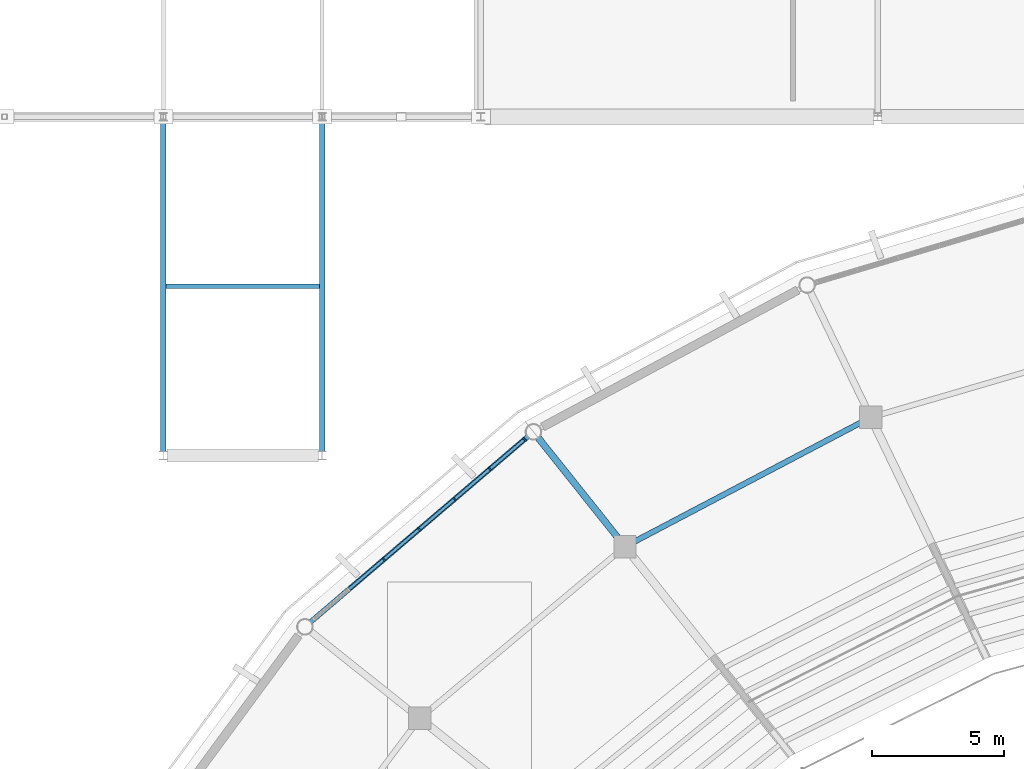
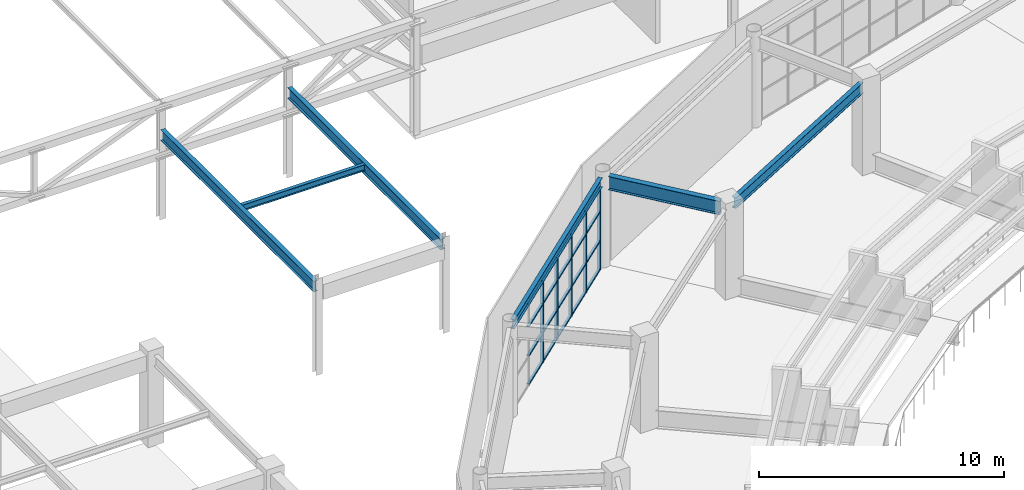
# One storey, part 52 of 122: 25 members, 6 beams, 1 element without a shape of its own.
"""IFC4 building model written with IfcOpenShell, lengths in metres."""

from ifc_helpers import new_model, si_unit, direction, frame, origin, origin_2d, place, context, subcontext, project, spatial, rectangle, i_section, extrude, material, material_profile, profile_set, type_object, element, aggregate, save


model = new_model("IFC4")

# Units and contexts
model_context = context("Model", 3, precision=1e-05, world=origin(), true_north=direction((0.0, 1.0)))
body_context = subcontext(model_context, "Body", "Model", "MODEL_VIEW")
ifc_project = project(units=[si_unit("LENGTHUNIT", "METRE"), si_unit("AREAUNIT", "SQUARE_METRE"), si_unit("VOLUMEUNIT", "CUBIC_METRE"), si_unit("PLANEANGLEUNIT", "RADIAN"), si_unit("MASSUNIT", "GRAM", prefix="KILO")], contexts=[model_context])

# Site, building, storey
site_placement = place(None, origin())
site = spatial("IfcSite", under=ifc_project, at=site_placement, CompositionType="ELEMENT")
building_placement = place(site_placement, origin())
building = spatial("IfcBuilding", under=site, at=building_placement, Name="Cuetzalor Civic Arena", CompositionType="ELEMENT")
storey_placement = place(building_placement, frame((0.0, 0.0, 16.199951171875)))
storey = spatial("IfcBuildingStorey", under=building, at=storey_placement, Name="L03", CompositionType="ELEMENT", Elevation=16.199951171875)

# Curtain wall, members
ifc_material_1 = material(Name="Anodised dark bronze aluminium and low-E solar glass", Category="aluminium")
curtain_wall_type = type_object("IfcCurtainWallType", Name="UnitisedCW_10550x4050", PredefinedType="USERDEFINED", material=ifc_material_1)
curtain_wall_placement = place(storey_placement, origin())
curtain_wall = element("IfcCurtainWall", 1, at=curtain_wall_placement, inside=storey, type_object=curtain_wall_type, Name="Drum Triangle Foyer Curtain Wall L03-049", ObjectType="UNITISED CURTAIN WALL", PredefinedType="USERDEFINED")
ifc_material_2 = material(Name="Anodised dark bronze aluminium", Category="aluminium")
ifc_material_profile_1 = material_profile(ifc_material_2, rectangle(XDim=0.06494140625, YDim=0.14990234375, at=origin_2d()), Name="ALU MULLION 65x150")
ifc_profile_set_1 = profile_set([ifc_material_profile_1], Name="Anodised dark bronze aluminium")
member_type_1 = type_object("IfcMemberType", Name="CurtainWallMullion_60x150", PredefinedType="MULLION", material=ifc_profile_set_1)
member_1_placement = place(storey_placement, frame((-39.665283203125, 31.569580078125, 0.0), z_axis=(0.0, 0.0, 1.0), x_axis=(0.760677142663, 0.64913040649, 0.0)))
member_1 = element("IfcMember", 2, at=member_1_placement, type_object=member_type_1, Name="CW-16 mullion 3", PredefinedType="MULLION", context=body_context, shape_type="SweptSolid", body=[
    extrude(rectangle(XDim=0.06494140625, YDim=0.14990234375, at=origin_2d()), origin(), (0.0, 0.0, 1.0), 4.052978515625),
])
member_2_placement = place(storey_placement, frame((-38.330078125, 32.708984375, 0.0), z_axis=(0.0, 0.0, 1.0), x_axis=(0.760677142663, 0.64913040649, 0.0)))
member_2 = element("IfcMember", 3, at=member_2_placement, type_object=member_type_1, Name="CW-16 mullion 4", PredefinedType="MULLION", context=body_context, shape_type="SweptSolid", body=[
    extrude(rectangle(XDim=0.06494140625, YDim=0.14990234375, at=origin_2d()), origin(), (0.0, 0.0, 1.0), 4.052978515625),
])
member_3_placement = place(storey_placement, frame((-36.9951171875, 33.84814453125, 0.0), z_axis=(0.0, 0.0, 1.0), x_axis=(0.760677142663, 0.64913040649, 0.0)))
member_3 = element("IfcMember", 4, at=member_3_placement, type_object=member_type_1, Name="CW-16 mullion 5", PredefinedType="MULLION", context=body_context, shape_type="SweptSolid", body=[
    extrude(rectangle(XDim=0.06494140625, YDim=0.14990234375, at=origin_2d()), origin(), (0.0, 0.0, 1.0), 4.052978515625),
])
member_4_placement = place(storey_placement, frame((-35.659912109375, 34.987548828125, 0.0), z_axis=(0.0, 0.0, 1.0), x_axis=(0.760677142663, 0.64913040649, 0.0)))
member_4 = element("IfcMember", 5, at=member_4_placement, type_object=member_type_1, Name="CW-16 mullion 6", PredefinedType="MULLION", context=body_context, shape_type="SweptSolid", body=[
    extrude(rectangle(XDim=0.06494140625, YDim=0.14990234375, at=origin_2d()), origin(), (0.0, 0.0, 1.0), 4.052978515625),
])
member_5_placement = place(storey_placement, frame((-34.349609375, 36.105712890625, 0.0), z_axis=(0.0, 0.0, 1.0), x_axis=(0.760677142663, 0.64913040649, 0.0)))
member_5 = element("IfcMember", 6, at=member_5_placement, type_object=member_type_1, Name="CW-16 mullion 7", PredefinedType="MULLION", context=body_context, shape_type="SweptSolid", body=[
    extrude(rectangle(XDim=0.06494140625, YDim=0.14990234375, at=origin_2d()), origin(), (0.0, 0.0, 1.0), 4.052978515625),
])
ifc_material_3 = material(Name="Anodised dark bronze aluminium", Category="aluminium")
ifc_material_profile_2 = material_profile(ifc_material_3, rectangle(XDim=0.1201171875, YDim=0.06494140625, at=origin_2d()), Name="ALU TRANSOM 65x120")
ifc_profile_set_2 = profile_set([ifc_material_profile_2], Name="Anodised dark bronze aluminium")
member_type_2 = type_object("IfcMemberType", Name="CurtainWallTransom_60x120", PredefinedType="USERDEFINED", material=ifc_profile_set_2)
member_6_placement = place(storey_placement, frame((-40.9755859375, 30.451416015625, 0.032470703125), z_axis=(0.760661918834, 0.649148245963, 0.0), x_axis=(-0.649148245963, 0.760661918834, 0.0)))
member_6 = element("IfcMember", 7, at=member_6_placement, type_object=member_type_2, Name="CW-16 transom 2.1", ObjectType="TRANSOM", PredefinedType="USERDEFINED", context=body_context, shape_type="SweptSolid", body=[
    extrude(rectangle(XDim=0.1201171875, YDim=0.06494140625, at=origin_2d()), origin(), (0.0, 0.0, 1.0), 1.690185546875),
])
member_7_placement = place(storey_placement, frame((-40.9755859375, 30.451416015625, 1.458984375), z_axis=(0.760661918834, 0.649148245963, 0.0), x_axis=(-0.649148245963, 0.760661918834, 0.0)))
member_7 = element("IfcMember", 8, at=member_7_placement, type_object=member_type_2, Name="CW-16 transom 2.2", ObjectType="TRANSOM", PredefinedType="USERDEFINED", context=body_context, shape_type="SweptSolid", body=[
    extrude(rectangle(XDim=0.1201171875, YDim=0.06494140625, at=origin_2d()), origin(), (0.0, 0.0, 1.0), 1.690185546875),
])
member_8_placement = place(storey_placement, frame((-40.9755859375, 30.451416015625, 2.91796875), z_axis=(0.760661918834, 0.649148245963, 0.0), x_axis=(-0.649148245963, 0.760661918834, 0.0)))
member_8 = element("IfcMember", 9, at=member_8_placement, type_object=member_type_2, Name="CW-16 transom 2.3", ObjectType="TRANSOM", PredefinedType="USERDEFINED", context=body_context, shape_type="SweptSolid", body=[
    extrude(rectangle(XDim=0.1201171875, YDim=0.06494140625, at=origin_2d()), origin(), (0.0, 0.0, 1.0), 1.690185546875),
])
member_9_placement = place(storey_placement, frame((-40.9755859375, 30.451416015625, 4.0205078125), z_axis=(0.760661918834, 0.649148245963, 0.0), x_axis=(-0.649148245963, 0.760661918834, 0.0)))
member_9 = element("IfcMember", 10, at=member_9_placement, type_object=member_type_2, Name="CW-16 transom 2.4", ObjectType="TRANSOM", PredefinedType="USERDEFINED", context=body_context, shape_type="SweptSolid", body=[
    extrude(rectangle(XDim=0.1201171875, YDim=0.06494140625, at=origin_2d()), origin(), (0.0, 0.0, 1.0), 1.690185546875),
])
member_10_placement = place(storey_placement, frame((-39.640625, 31.590576171875, 0.032470703125), z_axis=(0.760661918834, 0.649148245963, 0.0), x_axis=(-0.649148245963, 0.760661918834, 0.0)))
member_10 = element("IfcMember", 11, at=member_10_placement, type_object=member_type_2, Name="CW-16 transom 3.1", ObjectType="TRANSOM", PredefinedType="USERDEFINED", context=body_context, shape_type="SweptSolid", body=[
    extrude(rectangle(XDim=0.1201171875, YDim=0.06494140625, at=origin_2d()), origin(), (0.0, 0.0, 1.0), 1.690185546875),
])
member_11_placement = place(storey_placement, frame((-39.640625, 31.590576171875, 1.458984375), z_axis=(0.760661918834, 0.649148245963, 0.0), x_axis=(-0.649148245963, 0.760661918834, 0.0)))
member_11 = element("IfcMember", 12, at=member_11_placement, type_object=member_type_2, Name="CW-16 transom 3.2", ObjectType="TRANSOM", PredefinedType="USERDEFINED", context=body_context, shape_type="SweptSolid", body=[
    extrude(rectangle(XDim=0.1201171875, YDim=0.06494140625, at=origin_2d()), origin(), (0.0, 0.0, 1.0), 1.690185546875),
])
member_12_placement = place(storey_placement, frame((-39.640625, 31.590576171875, 2.91796875), z_axis=(0.760661918834, 0.649148245963, 0.0), x_axis=(-0.649148245963, 0.760661918834, 0.0)))
member_12 = element("IfcMember", 13, at=member_12_placement, type_object=member_type_2, Name="CW-16 transom 3.3", ObjectType="TRANSOM", PredefinedType="USERDEFINED", context=body_context, shape_type="SweptSolid", body=[
    extrude(rectangle(XDim=0.1201171875, YDim=0.06494140625, at=origin_2d()), origin(), (0.0, 0.0, 1.0), 1.690185546875),
])
member_13_placement = place(storey_placement, frame((-39.640625, 31.590576171875, 4.0205078125), z_axis=(0.760661918834, 0.649148245963, 0.0), x_axis=(-0.649148245963, 0.760661918834, 0.0)))
member_13 = element("IfcMember", 14, at=member_13_placement, type_object=member_type_2, Name="CW-16 transom 3.4", ObjectType="TRANSOM", PredefinedType="USERDEFINED", context=body_context, shape_type="SweptSolid", body=[
    extrude(rectangle(XDim=0.1201171875, YDim=0.06494140625, at=origin_2d()), origin(), (0.0, 0.0, 1.0), 1.690185546875),
])
member_14_placement = place(storey_placement, frame((-38.305419921875, 32.72998046875, 0.032470703125), z_axis=(0.760661918834, 0.649148245963, 0.0), x_axis=(-0.649148245963, 0.760661918834, 0.0)))
member_14 = element("IfcMember", 15, at=member_14_placement, type_object=member_type_2, Name="CW-16 transom 4.1", ObjectType="TRANSOM", PredefinedType="USERDEFINED", context=body_context, shape_type="SweptSolid", body=[
    extrude(rectangle(XDim=0.1201171875, YDim=0.06494140625, at=origin_2d()), origin(), (0.0, 0.0, 1.0), 1.690185546875),
])
member_15_placement = place(storey_placement, frame((-38.305419921875, 32.72998046875, 1.458984375), z_axis=(0.760661918834, 0.649148245963, 0.0), x_axis=(-0.649148245963, 0.760661918834, 0.0)))
member_15 = element("IfcMember", 16, at=member_15_placement, type_object=member_type_2, Name="CW-16 transom 4.2", ObjectType="TRANSOM", PredefinedType="USERDEFINED", context=body_context, shape_type="SweptSolid", body=[
    extrude(rectangle(XDim=0.1201171875, YDim=0.06494140625, at=origin_2d()), origin(), (0.0, 0.0, 1.0), 1.690185546875),
])
member_16_placement = place(storey_placement, frame((-38.305419921875, 32.72998046875, 2.91796875), z_axis=(0.760661918834, 0.649148245963, 0.0), x_axis=(-0.649148245963, 0.760661918834, 0.0)))
member_16 = element("IfcMember", 17, at=member_16_placement, type_object=member_type_2, Name="CW-16 transom 4.3", ObjectType="TRANSOM", PredefinedType="USERDEFINED", context=body_context, shape_type="SweptSolid", body=[
    extrude(rectangle(XDim=0.1201171875, YDim=0.06494140625, at=origin_2d()), origin(), (0.0, 0.0, 1.0), 1.690185546875),
])
member_17_placement = place(storey_placement, frame((-38.305419921875, 32.72998046875, 4.0205078125), z_axis=(0.760661918834, 0.649148245963, 0.0), x_axis=(-0.649148245963, 0.760661918834, 0.0)))
member_17 = element("IfcMember", 18, at=member_17_placement, type_object=member_type_2, Name="CW-16 transom 4.4", ObjectType="TRANSOM", PredefinedType="USERDEFINED", context=body_context, shape_type="SweptSolid", body=[
    extrude(rectangle(XDim=0.1201171875, YDim=0.06494140625, at=origin_2d()), origin(), (0.0, 0.0, 1.0), 1.690185546875),
])
member_18_placement = place(storey_placement, frame((-36.97021484375, 33.869384765625, 0.032470703125), z_axis=(0.760661918834, 0.649148245963, 0.0), x_axis=(-0.649148245963, 0.760661918834, 0.0)))
member_18 = element("IfcMember", 19, at=member_18_placement, type_object=member_type_2, Name="CW-16 transom 5.1", ObjectType="TRANSOM", PredefinedType="USERDEFINED", context=body_context, shape_type="SweptSolid", body=[
    extrude(rectangle(XDim=0.1201171875, YDim=0.06494140625, at=origin_2d()), origin(), (0.0, 0.0, 1.0), 1.690185546875),
])
member_19_placement = place(storey_placement, frame((-36.97021484375, 33.869384765625, 1.458984375), z_axis=(0.760661918834, 0.649148245963, 0.0), x_axis=(-0.649148245963, 0.760661918834, 0.0)))
member_19 = element("IfcMember", 20, at=member_19_placement, type_object=member_type_2, Name="CW-16 transom 5.2", ObjectType="TRANSOM", PredefinedType="USERDEFINED", context=body_context, shape_type="SweptSolid", body=[
    extrude(rectangle(XDim=0.1201171875, YDim=0.06494140625, at=origin_2d()), origin(), (0.0, 0.0, 1.0), 1.690185546875),
])
member_20_placement = place(storey_placement, frame((-36.97021484375, 33.869384765625, 2.91796875), z_axis=(0.760661918834, 0.649148245963, 0.0), x_axis=(-0.649148245963, 0.760661918834, 0.0)))
member_20 = element("IfcMember", 21, at=member_20_placement, type_object=member_type_2, Name="CW-16 transom 5.3", ObjectType="TRANSOM", PredefinedType="USERDEFINED", context=body_context, shape_type="SweptSolid", body=[
    extrude(rectangle(XDim=0.1201171875, YDim=0.06494140625, at=origin_2d()), origin(), (0.0, 0.0, 1.0), 1.690185546875),
])
member_21_placement = place(storey_placement, frame((-36.97021484375, 33.869384765625, 4.0205078125), z_axis=(0.760661918834, 0.649148245963, 0.0), x_axis=(-0.649148245963, 0.760661918834, 0.0)))
member_21 = element("IfcMember", 22, at=member_21_placement, type_object=member_type_2, Name="CW-16 transom 5.4", ObjectType="TRANSOM", PredefinedType="USERDEFINED", context=body_context, shape_type="SweptSolid", body=[
    extrude(rectangle(XDim=0.1201171875, YDim=0.06494140625, at=origin_2d()), origin(), (0.0, 0.0, 1.0), 1.690185546875),
])
member_22_placement = place(storey_placement, frame((-35.63525390625, 35.008544921875, 0.032470703125), z_axis=(0.760647860906, 0.649164718465, 0.0), x_axis=(-0.649164718465, 0.760647860906, 0.0)))
member_22 = element("IfcMember", 23, at=member_22_placement, type_object=member_type_2, Name="CW-16 transom 6.1", ObjectType="TRANSOM", PredefinedType="USERDEFINED", context=body_context, shape_type="SweptSolid", body=[
    extrude(rectangle(XDim=0.1201171875, YDim=0.06494140625, at=origin_2d()), origin(), (0.0, 0.0, 1.0), 1.65771484375),
])
member_23_placement = place(storey_placement, frame((-35.63525390625, 35.008544921875, 1.458984375), z_axis=(0.760647860906, 0.649164718465, 0.0), x_axis=(-0.649164718465, 0.760647860906, 0.0)))
member_23 = element("IfcMember", 24, at=member_23_placement, type_object=member_type_2, Name="CW-16 transom 6.2", ObjectType="TRANSOM", PredefinedType="USERDEFINED", context=body_context, shape_type="SweptSolid", body=[
    extrude(rectangle(XDim=0.1201171875, YDim=0.06494140625, at=origin_2d()), origin(), (0.0, 0.0, 1.0), 1.65771484375),
])
member_24_placement = place(storey_placement, frame((-35.63525390625, 35.008544921875, 2.91796875), z_axis=(0.760647860906, 0.649164718465, 0.0), x_axis=(-0.649164718465, 0.760647860906, 0.0)))
member_24 = element("IfcMember", 25, at=member_24_placement, type_object=member_type_2, Name="CW-16 transom 6.3", ObjectType="TRANSOM", PredefinedType="USERDEFINED", context=body_context, shape_type="SweptSolid", body=[
    extrude(rectangle(XDim=0.1201171875, YDim=0.06494140625, at=origin_2d()), origin(), (0.0, 0.0, 1.0), 1.65771484375),
])
member_25_placement = place(storey_placement, frame((-35.63525390625, 35.008544921875, 4.0205078125), z_axis=(0.760647860906, 0.649164718465, 0.0), x_axis=(-0.649164718465, 0.760647860906, 0.0)))
member_25 = element("IfcMember", 26, at=member_25_placement, type_object=member_type_2, Name="CW-16 transom 6.4", ObjectType="TRANSOM", PredefinedType="USERDEFINED", context=body_context, shape_type="SweptSolid", body=[
    extrude(rectangle(XDim=0.1201171875, YDim=0.06494140625, at=origin_2d()), origin(), (0.0, 0.0, 1.0), 1.65771484375),
])
aggregate(curtain_wall, [member_1, member_2, member_3, member_4, member_5, member_6, member_7, member_8, member_9, member_10, member_11, member_12, member_13, member_14, member_15, member_16, member_17, member_18, member_19, member_20, member_21, member_22, member_23, member_24, member_25])

# Beams
ifc_material_4 = material(Name="Steel S355", Category="steel")
ifc_material_profile_3 = material_profile(ifc_material_4, i_section(OverallWidth=0.18994140625, OverallDepth=0.45703125, WebThickness=0.009033203125, FlangeThickness=0.014404296875, at=origin_2d()), Name="W460x74")
ifc_profile_set_3 = profile_set([ifc_material_profile_3], Name="Steel S355")
beam_type_1 = type_object("IfcBeamType", Name="FacadeSpandrelBeam_W460", PredefinedType="SPANDREL", material=ifc_profile_set_3)
beam_1_placement = place(storey_placement, frame((-34.23193359375, 36.2060546875, 4.29150390625), z_axis=(-0.760676650628, -0.649130983076, 0.0), x_axis=(0.649130983076, -0.760676650628, 0.0)))
element("IfcBeam", 27, at=beam_1_placement, inside=storey, type_object=beam_type_1, Name="Drum Perimeter Spandrel L03-S11", PredefinedType="SPANDREL", context=body_context, shape_type="SweptSolid", body=[
    extrude(i_section(OverallWidth=0.18994140625, OverallDepth=0.45703125, WebThickness=0.009033203125, FlangeThickness=0.014404296875, at=origin_2d()), origin(), (0.0, 0.0, 1.0), 10.77490234375),
])
ifc_material_5 = material(Name="Steel S355", Category="steel")
ifc_material_profile_4 = material_profile(ifc_material_5, i_section(OverallWidth=0.166015625, OverallDepth=0.31298828125, WebThickness=0.006591796875, FlangeThickness=0.01123046875, at=origin_2d()), Name="W310x45")
ifc_profile_set_4 = profile_set([ifc_material_profile_4], Name="Steel S355")
beam_type_2 = type_object("IfcBeamType", Name="SecondaryRoofJoist_W310", PredefinedType="JOIST", material=ifc_profile_set_4)
beam_2_placement = place(storey_placement, frame((-47.903564453125, 41.89990234375, 4.343505859375), z_axis=(1.0, 0.0, 0.0), x_axis=(0.0, 1.0, 0.0)))
element("IfcBeam", 28, at=beam_2_placement, inside=storey, type_object=beam_type_2, Name="Secondary Floor Joist V5-L03-0319", PredefinedType="JOIST", context=body_context, shape_type="SweptSolid", body=[
    extrude(i_section(OverallWidth=0.166015625, OverallDepth=0.31298828125, WebThickness=0.006591796875, FlangeThickness=0.01123046875, at=origin_2d()), origin(), (0.0, 0.0, 1.0), 5.80712890625),
])
ifc_material_6 = material(Name="Steel S355", Category="steel")
ifc_material_profile_5 = material_profile(ifc_material_6, i_section(OverallWidth=0.208984375, OverallDepth=0.532958984375, WebThickness=0.01025390625, FlangeThickness=0.015625, at=origin_2d()), Name="W530x92")
ifc_profile_set_5 = profile_set([ifc_material_profile_5], Name="Steel S355")
beam_type_3 = type_object("IfcBeamType", Name="SteelCollarGirder_W530", PredefinedType="BEAM", material=ifc_profile_set_5)
beam_3_placement = place(storey_placement, frame((-21.587890625, 36.767578125, 4.253662109375), z_axis=(-0.885117354883, -0.465367884673, 0.0), x_axis=(0.465367884673, -0.885117354883, 0.0)))
element("IfcBeam", 29, at=beam_3_placement, inside=storey, type_object=beam_type_3, Name="Drum Concourse Ring Girder L03-S10", PredefinedType="BEAM", context=body_context, shape_type="SweptSolid", body=[
    extrude(i_section(OverallWidth=0.208984375, OverallDepth=0.532958984375, WebThickness=0.01025390625, FlangeThickness=0.015625, at=origin_2d()), origin(), (0.0, 0.0, 1.0), 9.75634765625),
])
for number, where, z_axis, x_axis, name in (
    (30, (-48.0, 35.64404296875, 4.233642578125), (0.0, 1.0, 0.0), (-1.0, 0.0, 0.0), "Frame Girder V5-L03-Y1063"),
    (31, (-42.0, 35.64404296875, 4.233642578125), (0.0, 1.0, 0.0), (-1.0, 0.0, 0.0), "Frame Girder V5-L03-Y1064"),
):
    element("IfcBeam", number, at=place(storey_placement, frame(where, z_axis=z_axis, x_axis=x_axis)), inside=storey, type_object=beam_type_3, Name=name, PredefinedType="BEAM", context=body_context, shape_type="SweptSolid", body=[
        extrude(i_section(OverallWidth=0.208984375, OverallDepth=0.532958984375, WebThickness=0.01025390625, FlangeThickness=0.015625, at=origin_2d()), origin(), (0.0, 0.0, 1.0), 12.511962890625),
    ])
ifc_material_7 = material(Name="Steel S355", Category="steel")
ifc_material_profile_6 = material_profile(ifc_material_7, i_section(OverallWidth=0.2529296875, OverallDepth=0.677978515625, WebThickness=0.01171875, FlangeThickness=0.016357421875, at=origin_2d()), Name="W690x125")
ifc_profile_set_6 = profile_set([ifc_material_profile_6], Name="Steel S355")
beam_type_4 = type_object("IfcBeamType", Name="SteelPrimaryGirder_W690", PredefinedType="BEAM", material=ifc_profile_set_6)
beam_4_placement = place(storey_placement, frame((-30.775390625, 32.336669921875, 4.18115234375), z_axis=(-0.623515538789, 0.781810957258, 0.0), x_axis=(-0.781810957258, -0.623515538789, 0.0)))
element("IfcBeam", 32, at=beam_4_placement, inside=storey, type_object=beam_type_4, Name="Drum Radial Girder L03-R11", PredefinedType="BEAM", context=body_context, shape_type="SweptSolid", body=[
    extrude(i_section(OverallWidth=0.2529296875, OverallDepth=0.677978515625, WebThickness=0.01171875, FlangeThickness=0.016357421875, at=origin_2d()), origin(), (0.0, 0.0, 1.0), 4.89990234375),
])

save(model, "model.ifc")
